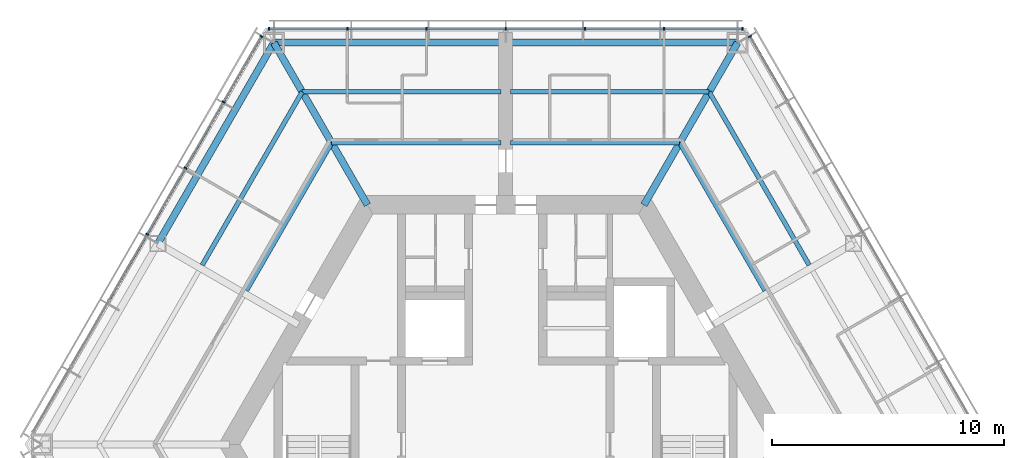
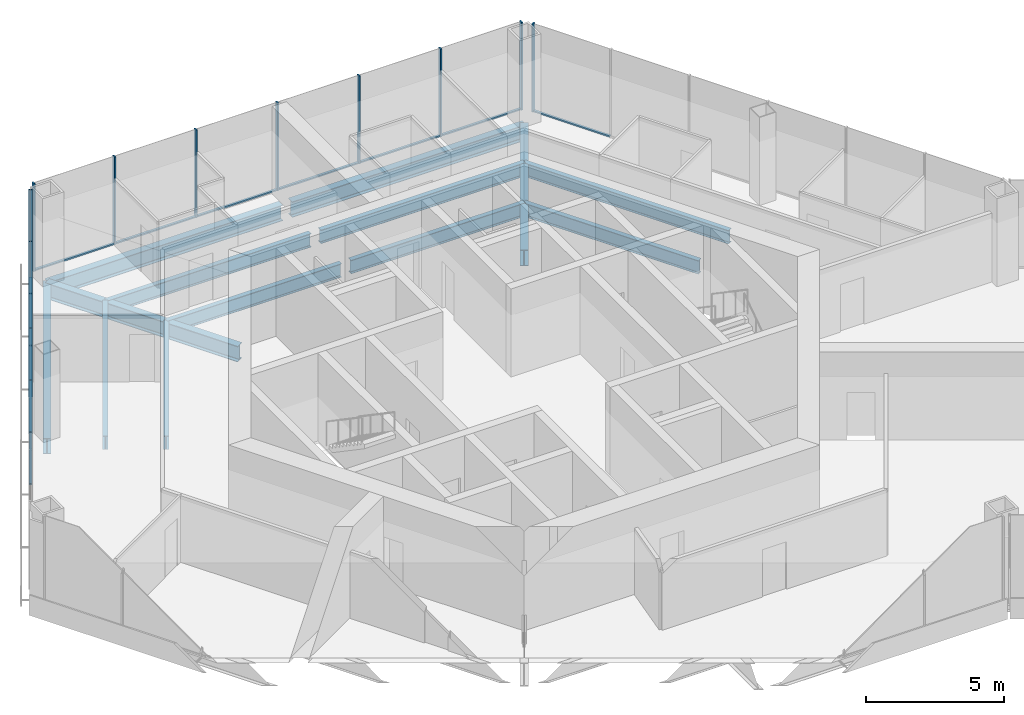
# One storey, part 6 of 15: 23 members, 13 beams, 3 elements without a shape of their own.
"""IFC4 building model written with IfcOpenShell, lengths in metres."""

from ifc_helpers import new_model, si_unit, direction, frame, origin, origin_2d, place, context, subcontext, project, spatial, rectangle, i_section, extrude, material, material_profile, profile_set, type_object, element, aggregate, save


model = new_model("IFC4")

# Units and contexts
model_context = context("Model", 3, precision=1e-05, world=origin(), true_north=direction((0.0, 1.0)))
body_context = subcontext(model_context, "Body", "Model", "MODEL_VIEW")
ifc_project = project(units=[si_unit("LENGTHUNIT", "METRE"), si_unit("AREAUNIT", "SQUARE_METRE"), si_unit("VOLUMEUNIT", "CUBIC_METRE"), si_unit("PLANEANGLEUNIT", "RADIAN"), si_unit("MASSUNIT", "GRAM", prefix="KILO")], contexts=[model_context])

# Site, building, storey
site_placement = place(None, origin())
site = spatial("IfcSite", under=ifc_project, at=site_placement, CompositionType="ELEMENT")
building_placement = place(site_placement, origin())
building = spatial("IfcBuilding", under=site, at=building_placement, Name="Kasaneha Research Tower", CompositionType="ELEMENT")
storey_placement = place(building_placement, frame((0.0, 0.0, 212.800048828125)))
storey = spatial("IfcBuildingStorey", under=building, at=storey_placement, Name="L53", CompositionType="ELEMENT", Elevation=212.800048828125)

# Beams
ifc_material_1 = material(Name="Steel SN490B", Category="steel")
ifc_material_profile_1 = material_profile(ifc_material_1, i_section(OverallWidth=0.199951171875, OverallDepth=0.60009765625, WebThickness=0.010986328125, FlangeThickness=0.01708984375, FilletRadius=0.012939453125, at=origin_2d()), Name="H-600x200x11x17")
ifc_profile_set_1 = profile_set([ifc_material_profile_1], Name="Steel SN490B")
beam_type_1 = type_object("IfcBeamType", Name="B1-3 secondary beam H-600x200x11x17", PredefinedType="JOIST", material=ifc_profile_set_1)
beam_1_placement = place(storey_placement, frame((7.505615234375, 13.0, -0.449951171875), z_axis=(0.499994443168, -0.866028611999, 0.0), x_axis=(0.866028611999, 0.499994443168, 0.0)))
element("IfcBeam", 1, at=beam_1_placement, inside=storey, type_object=beam_type_1, Name="Secondary beam RS030R1 L53", PredefinedType="JOIST", context=body_context, shape_type="SweptSolid", body=[
    extrude(i_section(OverallWidth=0.199951171875, OverallDepth=0.60009765625, WebThickness=0.010986328125, FlangeThickness=0.01708984375, FilletRadius=0.012939453125, at=origin_2d()), origin(), (0.0, 0.0, 1.0), 7.35546875),
])
beam_2_placement = place(storey_placement, frame((8.775634765625, 15.199951171875, -0.449951171875), z_axis=(0.500017275495, -0.866015429543, 0.0), x_axis=(0.866015429543, 0.500017275495, 0.0)))
element("IfcBeam", 2, at=beam_2_placement, inside=storey, type_object=beam_type_1, Name="Secondary beam RS030R2 L53", PredefinedType="JOIST", context=body_context, shape_type="SweptSolid", body=[
    extrude(i_section(OverallWidth=0.199951171875, OverallDepth=0.60009765625, WebThickness=0.010986328125, FlangeThickness=0.01708984375, FilletRadius=0.012939453125, at=origin_2d()), origin(), (0.0, 0.0, 1.0), 8.625732421875),
])
beam_3_placement = place(storey_placement, frame((7.505615234375, 13.0, -0.449951171875), z_axis=(-1.0, 0.0, 0.0), x_axis=(0.0, -1.0, 0.0)))
element("IfcBeam", 3, at=beam_3_placement, inside=storey, type_object=beam_type_1, Name="Secondary beam RS090L1 L53", PredefinedType="JOIST", context=body_context, shape_type="SweptSolid", body=[
    extrude(i_section(OverallWidth=0.199951171875, OverallDepth=0.60009765625, WebThickness=0.010986328125, FlangeThickness=0.01708984375, FilletRadius=0.012939453125, at=origin_2d()), origin(), (0.0, 0.0, 1.0), 7.3056640625),
])
beam_4_placement = place(storey_placement, frame((8.775634765625, 15.199951171875, -0.449951171875), z_axis=(-1.0, 0.0, 0.0), x_axis=(0.0, -1.0, 0.0)))
element("IfcBeam", 4, at=beam_4_placement, inside=storey, type_object=beam_type_1, Name="Secondary beam RS090L2 L53", PredefinedType="JOIST", context=body_context, shape_type="SweptSolid", body=[
    extrude(i_section(OverallWidth=0.199951171875, OverallDepth=0.60009765625, WebThickness=0.010986328125, FlangeThickness=0.01708984375, FilletRadius=0.012939453125, at=origin_2d()), origin(), (0.0, 0.0, 1.0), 8.57568359375),
])
beam_5_placement = place(storey_placement, frame((-7.505615234375, 13.0, -0.449951171875), z_axis=(1.0, 0.0, 0.0), x_axis=(0.0, 1.0, 0.0)))
element("IfcBeam", 5, at=beam_5_placement, inside=storey, type_object=beam_type_1, Name="Secondary beam RS090R1 L53", PredefinedType="JOIST", context=body_context, shape_type="SweptSolid", body=[
    extrude(i_section(OverallWidth=0.199951171875, OverallDepth=0.60009765625, WebThickness=0.010986328125, FlangeThickness=0.01708984375, FilletRadius=0.012939453125, at=origin_2d()), origin(), (0.0, 0.0, 1.0), 7.3056640625),
])
beam_6_placement = place(storey_placement, frame((-8.775634765625, 15.199951171875, -0.449951171875), z_axis=(1.0, 0.0, 0.0), x_axis=(0.0, 1.0, 0.0)))
element("IfcBeam", 6, at=beam_6_placement, inside=storey, type_object=beam_type_1, Name="Secondary beam RS090R2 L53", PredefinedType="JOIST", context=body_context, shape_type="SweptSolid", body=[
    extrude(i_section(OverallWidth=0.199951171875, OverallDepth=0.60009765625, WebThickness=0.010986328125, FlangeThickness=0.01708984375, FilletRadius=0.012939453125, at=origin_2d()), origin(), (0.0, 0.0, 1.0), 8.57568359375),
])
beam_7_placement = place(storey_placement, frame((-7.505615234375, 13.0, -0.449951171875), z_axis=(-0.499994443168, -0.866028611999, 0.0), x_axis=(0.866028611999, -0.499994443168, 0.0)))
element("IfcBeam", 7, at=beam_7_placement, inside=storey, type_object=beam_type_1, Name="Secondary beam RS150L1 L53", PredefinedType="JOIST", context=body_context, shape_type="SweptSolid", body=[
    extrude(i_section(OverallWidth=0.199951171875, OverallDepth=0.60009765625, WebThickness=0.010986328125, FlangeThickness=0.01708984375, FilletRadius=0.012939453125, at=origin_2d()), origin(), (0.0, 0.0, 1.0), 7.35546875),
])
beam_8_placement = place(storey_placement, frame((-8.775634765625, 15.199951171875, -0.449951171875), z_axis=(-0.500017275495, -0.866015429543, 0.0), x_axis=(0.866015429543, -0.500017275495, 0.0)))
element("IfcBeam", 8, at=beam_8_placement, inside=storey, type_object=beam_type_1, Name="Secondary beam RS150L2 L53", PredefinedType="JOIST", context=body_context, shape_type="SweptSolid", body=[
    extrude(i_section(OverallWidth=0.199951171875, OverallDepth=0.60009765625, WebThickness=0.010986328125, FlangeThickness=0.01708984375, FilletRadius=0.012939453125, at=origin_2d()), origin(), (0.0, 0.0, 1.0), 8.625732421875),
])

# Curtain wall, member
ifc_material_2 = material(Name="Glass and aluminium", Category="aluminium")
curtain_wall_type = type_object("IfcCurtainWallType", Name="High-rise office curtain wall", PredefinedType="USERDEFINED", material=ifc_material_2)
curtain_wall_1_placement = place(storey_placement, origin())
curtain_wall_1 = element("IfcCurtainWall", 9, at=curtain_wall_1_placement, inside=storey, type_object=curtain_wall_type, Name="CW-O3 L53 run 01a", ObjectType="UNITISED CURTAIN WALL", PredefinedType="USERDEFINED")
ifc_material_3 = material(Name="Aluminium 6063-T6", Category="aluminium")
ifc_material_profile_2 = material_profile(ifc_material_3, rectangle(XDim=0.06005859375, YDim=0.139892578125, at=origin_2d()), Name="CW-O3 mullion 60x140")
ifc_profile_set_2 = profile_set([ifc_material_profile_2], Name="Aluminium 6063-T6")
member_type_1 = type_object("IfcMemberType", Name="CW-O3 mullion", PredefinedType="MULLION", material=ifc_profile_set_2)
member_1_placement = place(storey_placement, frame((10.53564453125, 17.5927734375, 0.0), z_axis=(0.0, 0.0, 1.0), x_axis=(-0.499999979232, 0.866025415775, 0.0)))
member_1 = element("IfcMember", 10, at=member_1_placement, type_object=member_type_1, Name="CW-O3 mullion 7", PredefinedType="MULLION", context=body_context, shape_type="SweptSolid", body=[
    extrude(rectangle(XDim=0.06005859375, YDim=0.139892578125, at=origin_2d()), origin(), (0.0, 0.0, 1.0), 3.89990234375),
])

# Curtain wall, members
curtain_wall_2_placement = place(storey_placement, origin())
curtain_wall_2 = element("IfcCurtainWall", 11, at=curtain_wall_2_placement, inside=storey, type_object=curtain_wall_type, Name="CW-O3 L53 run 02a", ObjectType="UNITISED CURTAIN WALL", PredefinedType="USERDEFINED")
member_2_placement = place(storey_placement, frame((10.21630859375, 17.92041015625, 0.0), z_axis=(0.0, 0.0, 1.0), x_axis=(-1.0, 0.0, 0.0)))
member_2 = element("IfcMember", 12, at=member_2_placement, type_object=member_type_1, Name="CW-O3 mullion 1", PredefinedType="MULLION", context=body_context, shape_type="SweptSolid", body=[
    extrude(rectangle(XDim=0.06005859375, YDim=0.139892578125, at=origin_2d()), origin(), (0.0, 0.0, 1.0), 3.89990234375),
])
member_3_placement = place(storey_placement, frame((6.8310546875, 17.92041015625, 0.0), z_axis=(0.0, 0.0, 1.0), x_axis=(-1.0, 0.0, 0.0)))
member_3 = element("IfcMember", 13, at=member_3_placement, type_object=member_type_1, Name="CW-O3 mullion 2", PredefinedType="MULLION", context=body_context, shape_type="SweptSolid", body=[
    extrude(rectangle(XDim=0.06005859375, YDim=0.139892578125, at=origin_2d()), origin(), (0.0, 0.0, 1.0), 3.89990234375),
])
member_4_placement = place(storey_placement, frame((3.41552734375, 17.92041015625, 0.0), z_axis=(0.0, 0.0, 1.0), x_axis=(-1.0, 0.0, 0.0)))
member_4 = element("IfcMember", 14, at=member_4_placement, type_object=member_type_1, Name="CW-O3 mullion 3", PredefinedType="MULLION", context=body_context, shape_type="SweptSolid", body=[
    extrude(rectangle(XDim=0.06005859375, YDim=0.139892578125, at=origin_2d()), origin(), (0.0, 0.0, 1.0), 3.89990234375),
])
member_5_placement = place(storey_placement, frame((0.0, 17.92041015625, 0.0), z_axis=(0.0, 0.0, 1.0), x_axis=(-1.0, 0.0, 0.0)))
member_5 = element("IfcMember", 15, at=member_5_placement, type_object=member_type_1, Name="CW-O3 mullion 4", PredefinedType="MULLION", context=body_context, shape_type="SweptSolid", body=[
    extrude(rectangle(XDim=0.06005859375, YDim=0.139892578125, at=origin_2d()), origin(), (0.0, 0.0, 1.0), 3.89990234375),
])
member_6_placement = place(storey_placement, frame((-3.41552734375, 17.92041015625, 0.0), z_axis=(0.0, 0.0, 1.0), x_axis=(-1.0, 0.0, 0.0)))
member_6 = element("IfcMember", 16, at=member_6_placement, type_object=member_type_1, Name="CW-O3 mullion 5", PredefinedType="MULLION", context=body_context, shape_type="SweptSolid", body=[
    extrude(rectangle(XDim=0.06005859375, YDim=0.139892578125, at=origin_2d()), origin(), (0.0, 0.0, 1.0), 3.89990234375),
])
member_7_placement = place(storey_placement, frame((-6.8310546875, 17.92041015625, 0.0), z_axis=(0.0, 0.0, 1.0), x_axis=(-1.0, 0.0, 0.0)))
member_7 = element("IfcMember", 17, at=member_7_placement, type_object=member_type_1, Name="CW-O3 mullion 6", PredefinedType="MULLION", context=body_context, shape_type="SweptSolid", body=[
    extrude(rectangle(XDim=0.06005859375, YDim=0.139892578125, at=origin_2d()), origin(), (0.0, 0.0, 1.0), 3.89990234375),
])
member_8_placement = place(storey_placement, frame((-10.21630859375, 17.92041015625, 0.0), z_axis=(0.0, 0.0, 1.0), x_axis=(-1.0, 0.0, 0.0)))
member_8 = element("IfcMember", 18, at=member_8_placement, type_object=member_type_1, Name="CW-O3 mullion 7", PredefinedType="MULLION", context=body_context, shape_type="SweptSolid", body=[
    extrude(rectangle(XDim=0.06005859375, YDim=0.139892578125, at=origin_2d()), origin(), (0.0, 0.0, 1.0), 3.89990234375),
])

curtain_wall_3_placement = place(storey_placement, origin())
curtain_wall_3 = element("IfcCurtainWall", 19, at=curtain_wall_3_placement, inside=storey, type_object=curtain_wall_type, Name="CW-O3 L53 run 03a", ObjectType="UNITISED CURTAIN WALL", PredefinedType="USERDEFINED")
member_9_placement = place(storey_placement, frame((-10.53564453125, 17.5927734375, 0.0), z_axis=(0.0, 0.0, 1.0), x_axis=(-0.499999995722, -0.866025406254, 0.0)))
member_9 = element("IfcMember", 20, at=member_9_placement, type_object=member_type_1, Name="CW-O3 mullion 1", PredefinedType="MULLION", context=body_context, shape_type="SweptSolid", body=[
    extrude(rectangle(XDim=0.06005859375, YDim=0.139892578125, at=origin_2d()), origin(), (0.0, 0.0, 1.0), 3.89990234375),
])
member_10_placement = place(storey_placement, frame((-12.167724609375, 14.76611328125, 0.0), z_axis=(0.0, 0.0, 1.0), x_axis=(-0.499999995722, -0.866025406254, 0.0)))
member_10 = element("IfcMember", 21, at=member_10_placement, type_object=member_type_1, Name="CW-O3 mullion 2", PredefinedType="MULLION", context=body_context, shape_type="SweptSolid", body=[
    extrude(rectangle(XDim=0.06005859375, YDim=0.139892578125, at=origin_2d()), origin(), (0.0, 0.0, 1.0), 3.89990234375),
])
member_11_placement = place(storey_placement, frame((-13.814697265625, 11.913330078125, 0.0), z_axis=(0.0, 0.0, 1.0), x_axis=(-0.499999995722, -0.866025406254, 0.0)))
member_11 = element("IfcMember", 22, at=member_11_placement, type_object=member_type_1, Name="CW-O3 mullion 3", PredefinedType="MULLION", context=body_context, shape_type="SweptSolid", body=[
    extrude(rectangle(XDim=0.06005859375, YDim=0.139892578125, at=origin_2d()), origin(), (0.0, 0.0, 1.0), 3.89990234375),
])
member_12_placement = place(storey_placement, frame((-15.461669921875, 9.060546875, 0.0), z_axis=(0.0, 0.0, 1.0), x_axis=(-0.499999995722, -0.866025406254, 0.0)))
member_12 = element("IfcMember", 23, at=member_12_placement, type_object=member_type_1, Name="CW-O3 mullion 4", PredefinedType="MULLION", context=body_context, shape_type="SweptSolid", body=[
    extrude(rectangle(XDim=0.06005859375, YDim=0.139892578125, at=origin_2d()), origin(), (0.0, 0.0, 1.0), 3.89990234375),
])

# Member
ifc_material_4 = material(Name="Aluminium 6063-T6", Category="aluminium")
ifc_material_profile_3 = material_profile(ifc_material_4, rectangle(XDim=0.10009765625, YDim=0.06005859375, at=origin_2d()), Name="CW-O3 transom 100x60")
ifc_profile_set_3 = profile_set([ifc_material_profile_3], Name="Aluminium 6063-T6")
member_type_2 = type_object("IfcMemberType", Name="CW-O3 transom", PredefinedType="USERDEFINED", material=ifc_profile_set_3)
member_13_placement = place(storey_placement, frame((12.150390625, 14.7958984375, 0.030029296875), z_axis=(-0.50000426018, 0.866022944154, 0.0), x_axis=(-0.866022944154, -0.50000426018, 0.0)))
member_13 = element("IfcMember", 24, at=member_13_placement, type_object=member_type_2, Name="CW-O3 transom 6", ObjectType="TRANSOM", PredefinedType="USERDEFINED", context=body_context, shape_type="SweptSolid", body=[
    extrude(rectangle(XDim=0.10009765625, YDim=0.06005859375, at=origin_2d()), origin(), (0.0, 0.0, 1.0), 3.19970703125),
])

aggregate(curtain_wall_1, [member_1, member_13])

member_14_placement = place(storey_placement, frame((10.1865234375, 17.92041015625, 0.030029296875), z_axis=(-1.0, 0.0, 0.0), x_axis=(0.0, -1.0, 0.0)))
member_14 = element("IfcMember", 25, at=member_14_placement, type_object=member_type_2, Name="CW-O3 transom 1", ObjectType="TRANSOM", PredefinedType="USERDEFINED", context=body_context, shape_type="SweptSolid", body=[
    extrude(rectangle(XDim=0.10009765625, YDim=0.06005859375, at=origin_2d()), origin(), (0.0, 0.0, 1.0), 3.32568359375),
])

member_15_placement = place(storey_placement, frame((6.801025390625, 17.92041015625, 0.030029296875), z_axis=(-1.0, 0.0, 0.0), x_axis=(0.0, -1.0, 0.0)))
member_15 = element("IfcMember", 26, at=member_15_placement, type_object=member_type_2, Name="CW-O3 transom 2", ObjectType="TRANSOM", PredefinedType="USERDEFINED", context=body_context, shape_type="SweptSolid", body=[
    extrude(rectangle(XDim=0.10009765625, YDim=0.06005859375, at=origin_2d()), origin(), (0.0, 0.0, 1.0), 3.35546875),
])

member_16_placement = place(storey_placement, frame((3.385498046875, 17.92041015625, 0.030029296875), z_axis=(-1.0, 0.0, 0.0), x_axis=(0.0, -1.0, 0.0)))
member_16 = element("IfcMember", 27, at=member_16_placement, type_object=member_type_2, Name="CW-O3 transom 3", ObjectType="TRANSOM", PredefinedType="USERDEFINED", context=body_context, shape_type="SweptSolid", body=[
    extrude(rectangle(XDim=0.10009765625, YDim=0.06005859375, at=origin_2d()), origin(), (0.0, 0.0, 1.0), 3.35546875),
])

member_17_placement = place(storey_placement, frame((-0.030029296875, 17.92041015625, 0.030029296875), z_axis=(-1.0, 0.0, 0.0), x_axis=(0.0, -1.0, 0.0)))
member_17 = element("IfcMember", 28, at=member_17_placement, type_object=member_type_2, Name="CW-O3 transom 4", ObjectType="TRANSOM", PredefinedType="USERDEFINED", context=body_context, shape_type="SweptSolid", body=[
    extrude(rectangle(XDim=0.10009765625, YDim=0.06005859375, at=origin_2d()), origin(), (0.0, 0.0, 1.0), 3.35546875),
])

member_18_placement = place(storey_placement, frame((-3.445556640625, 17.92041015625, 0.030029296875), z_axis=(-1.0, 0.0, 0.0), x_axis=(0.0, -1.0, 0.0)))
member_18 = element("IfcMember", 29, at=member_18_placement, type_object=member_type_2, Name="CW-O3 transom 5", ObjectType="TRANSOM", PredefinedType="USERDEFINED", context=body_context, shape_type="SweptSolid", body=[
    extrude(rectangle(XDim=0.10009765625, YDim=0.06005859375, at=origin_2d()), origin(), (0.0, 0.0, 1.0), 3.35546875),
])

member_19_placement = place(storey_placement, frame((-6.86083984375, 17.92041015625, 0.030029296875), z_axis=(-1.0, 0.0, 0.0), x_axis=(0.0, -1.0, 0.0)))
member_19 = element("IfcMember", 30, at=member_19_placement, type_object=member_type_2, Name="CW-O3 transom 6", ObjectType="TRANSOM", PredefinedType="USERDEFINED", context=body_context, shape_type="SweptSolid", body=[
    extrude(rectangle(XDim=0.10009765625, YDim=0.06005859375, at=origin_2d()), origin(), (0.0, 0.0, 1.0), 3.32568359375),
])

aggregate(curtain_wall_2, [member_2, member_3, member_4, member_5, member_6, member_7, member_8, member_14, member_15, member_16, member_17, member_18, member_19])

member_20_placement = place(storey_placement, frame((-10.550537109375, 17.56689453125, 0.030029296875), z_axis=(-0.499990676028, -0.866030786915, 0.0), x_axis=(0.866030786915, -0.499990676028, 0.0)))
member_20 = element("IfcMember", 31, at=member_20_placement, type_object=member_type_2, Name="CW-O3 transom 1", ObjectType="TRANSOM", PredefinedType="USERDEFINED", context=body_context, shape_type="SweptSolid", body=[
    extrude(rectangle(XDim=0.10009765625, YDim=0.06005859375, at=origin_2d()), origin(), (0.0, 0.0, 1.0), 3.2041015625),
])

member_21_placement = place(storey_placement, frame((-12.1826171875, 14.739990234375, 0.030029296875), z_axis=(-0.500036104519, -0.866004557827, 0.0), x_axis=(0.866004557827, -0.500036104519, 0.0)))
member_21 = element("IfcMember", 32, at=member_21_placement, type_object=member_type_2, Name="CW-O3 transom 2", ObjectType="TRANSOM", PredefinedType="USERDEFINED", context=body_context, shape_type="SweptSolid", body=[
    extrude(rectangle(XDim=0.10009765625, YDim=0.06005859375, at=origin_2d()), origin(), (0.0, 0.0, 1.0), 3.234130859375),
])

member_22_placement = place(storey_placement, frame((-13.82958984375, 11.88720703125, 0.030029296875), z_axis=(-0.500036104519, -0.866004557827, 0.0), x_axis=(0.866004557827, -0.500036104519, 0.0)))
member_22 = element("IfcMember", 33, at=member_22_placement, type_object=member_type_2, Name="CW-O3 transom 3", ObjectType="TRANSOM", PredefinedType="USERDEFINED", context=body_context, shape_type="SweptSolid", body=[
    extrude(rectangle(XDim=0.10009765625, YDim=0.06005859375, at=origin_2d()), origin(), (0.0, 0.0, 1.0), 3.234130859375),
])

member_23_placement = place(storey_placement, frame((-15.476806640625, 9.03466796875, 0.030029296875), z_axis=(-0.499979487633, -0.866037246281, 0.0), x_axis=(0.866037246281, -0.499979487633, 0.0)))
member_23 = element("IfcMember", 34, at=member_23_placement, type_object=member_type_2, Name="CW-O3 transom 4", ObjectType="TRANSOM", PredefinedType="USERDEFINED", context=body_context, shape_type="SweptSolid", body=[
    extrude(rectangle(XDim=0.10009765625, YDim=0.06005859375, at=origin_2d()), origin(), (0.0, 0.0, 1.0), 3.234130859375),
])

aggregate(curtain_wall_3, [member_9, member_10, member_11, member_12, member_20, member_21, member_22, member_23])

# Beams
ifc_material_5 = material(Name="Steel SN490B", Category="steel")
ifc_material_profile_4 = material_profile(ifc_material_5, i_section(OverallWidth=0.300048828125, OverallDepth=0.699951171875, WebThickness=0.012939453125, FlangeThickness=0.02392578125, FilletRadius=0.01806640625, at=origin_2d()), Name="H-700x300x13x24")
ifc_profile_set_4 = profile_set([ifc_material_profile_4], Name="Steel SN490B")
beam_type_2 = type_object("IfcBeamType", Name="G1-3 radial girder H-700x300x13x24", PredefinedType="BEAM", material=ifc_profile_set_4)
for number, where, z_axis, x_axis, name in (
    (35, (5.961181640625, 10.324951171875, -0.5), (0.49999105496, 0.866030568144, 0.0), (-0.866030568144, 0.49999105496, 0.0), "Radial girder RV060 L53"),
    (36, (-5.961181640625, 10.324951171875, -0.5), (-0.49999105496, 0.866030568144, 0.0), (-0.866030568144, -0.49999105496, 0.0), "Radial girder RV120 L53"),
):
    element("IfcBeam", number, at=place(storey_placement, frame(where, z_axis=z_axis, x_axis=x_axis)), inside=storey, type_object=beam_type_2, Name=name, PredefinedType="BEAM", context=body_context, shape_type="SweptSolid", body=[
        extrude(i_section(OverallWidth=0.300048828125, OverallDepth=0.699951171875, WebThickness=0.012939453125, FlangeThickness=0.02392578125, FilletRadius=0.01806640625, at=origin_2d()), origin(), (0.0, 0.0, 1.0), 8.077880859375),
    ])
ifc_material_6 = material(Name="Steel SN490B", Category="steel")
ifc_material_profile_5 = material_profile(ifc_material_6, i_section(OverallWidth=0.300048828125, OverallDepth=0.69189453125, WebThickness=0.012939453125, FlangeThickness=0.02001953125, FilletRadius=0.01806640625, at=origin_2d()), Name="H-692x300x13x20")
ifc_profile_set_5 = profile_set([ifc_material_profile_5], Name="Steel SN490B")
beam_type_3 = type_object("IfcBeamType", Name="G3-3 plate edge girder H-692x300x13x20", PredefinedType="BEAM", material=ifc_profile_set_5)
for number, where, z_axis, x_axis, name in (
    (37, (10.0, 17.320556640625, -0.49609375), (-1.0, 0.0, 0.0), (0.0, -1.0, 0.0), "Plate edge girder PEAP L53"),
    (38, (-10.0, 17.320556640625, -0.49609375), (1.0, 0.0, 0.0), (0.0, 1.0, 0.0), "Plate edge girder PEAN L53"),
):
    element("IfcBeam", number, at=place(storey_placement, frame(where, z_axis=z_axis, x_axis=x_axis)), inside=storey, type_object=beam_type_3, Name=name, PredefinedType="BEAM", context=body_context, shape_type="SweptSolid", body=[
        extrude(i_section(OverallWidth=0.300048828125, OverallDepth=0.69189453125, WebThickness=0.012939453125, FlangeThickness=0.02001953125, FilletRadius=0.01806640625, at=origin_2d()), origin(), (0.0, 0.0, 1.0), 9.800048828125),
    ])
ifc_material_7 = material(Name="Steel SN490B", Category="steel")
ifc_material_profile_6 = material_profile(ifc_material_7, i_section(OverallWidth=0.300048828125, OverallDepth=0.69189453125, WebThickness=0.012939453125, FlangeThickness=0.02001953125, FilletRadius=0.01806640625, at=origin_2d()), Name="H-692x300x13x20")
ifc_profile_set_6 = profile_set([ifc_material_profile_6], Name="Steel SN490B")
beam_type_4 = type_object("IfcBeamType", Name="SB1-3 spandrel beam H-692x300x13x20", PredefinedType="SPANDREL", material=ifc_profile_set_6)
beam_9_placement = place(storey_placement, frame((-10.0, 17.320556640625, -0.49609375), z_axis=(-0.499993662806, -0.866029062534, 0.0), x_axis=(0.866029062534, -0.499993662806, 0.0)))
element("IfcBeam", 39, at=beam_9_placement, inside=storey, type_object=beam_type_4, Name="Spandrel beam SR150L L53", PredefinedType="SPANDREL", context=body_context, shape_type="SweptSolid", body=[
    extrude(i_section(OverallWidth=0.300048828125, OverallDepth=0.69189453125, WebThickness=0.012939453125, FlangeThickness=0.02001953125, FilletRadius=0.01806640625, at=origin_2d()), origin(), (0.0, 0.0, 1.0), 10.000244140625),
])

save(model, "model.ifc")
